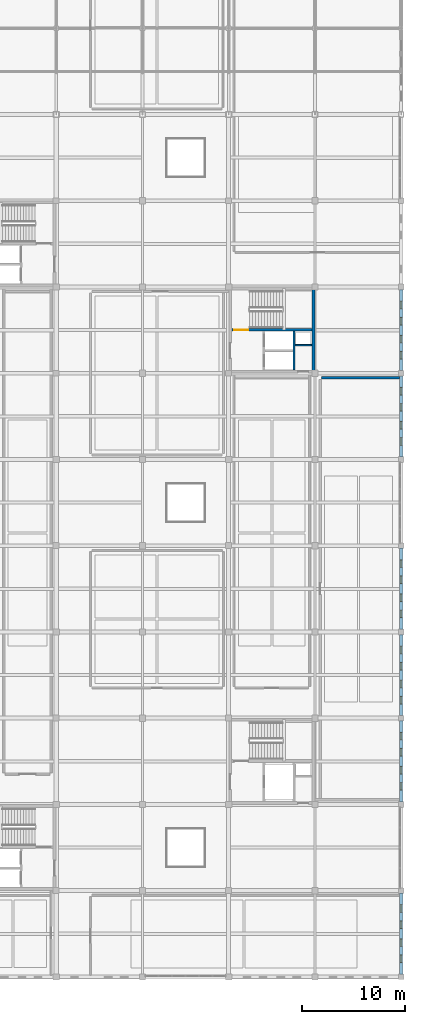
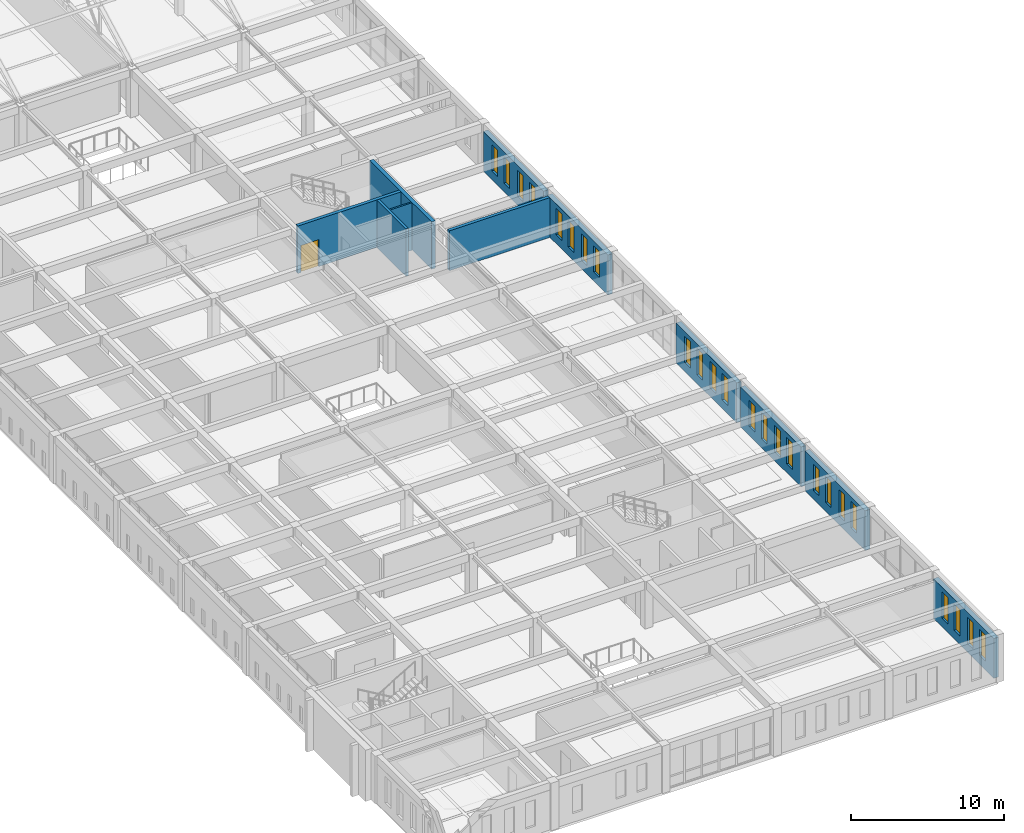
# One storey, part 46 of 56: 24 windows, 11 walls, 1 door, 25 openings.
"""IFC4 building model written with IfcOpenShell, lengths in metres."""

from ifc_helpers import new_model, si_unit, direction, frame, frame_2d, origin, place, context, subcontext, project, spatial, rectangle, extrude, material, layer, layer_set, type_object, element, fill, save


model = new_model("IFC4")

# Units and contexts
model_context = context("Model", 3, precision=1e-05, world=origin(), true_north=direction((0.0, 1.0)))
body_context = subcontext(model_context, "Body", "Model", "MODEL_VIEW")
ifc_project = project(units=[si_unit("LENGTHUNIT", "METRE"), si_unit("AREAUNIT", "SQUARE_METRE"), si_unit("VOLUMEUNIT", "CUBIC_METRE"), si_unit("PLANEANGLEUNIT", "RADIAN"), si_unit("MASSUNIT", "GRAM", prefix="KILO")], contexts=[model_context])

# Site, building, storey
site_placement = place(None, origin())
site = spatial("IfcSite", under=ifc_project, at=site_placement, CompositionType="ELEMENT")
building_placement = place(site_placement, origin())
building = spatial("IfcBuilding", under=site, at=building_placement, Name="Kveldsbrygga Polytechnic", CompositionType="ELEMENT")
storey_placement = place(building_placement, frame((0.0, 0.0, 18.02001953125)))
storey = spatial("IfcBuildingStorey", under=building, at=storey_placement, Name="L04", CompositionType="ELEMENT", Elevation=18.02001953125)

# Wall, openings, windows
ifc_material_1 = material(Name="Fired clay brick masonry M10", Category="masonry")
ifc_layer_1 = layer(ifc_material_1, 0.360107421875)
ifc_layer_set_1 = layer_set([ifc_layer_1], Name="Fired clay brick masonry M10")
wall_type_1 = type_object("IfcWallType", Name="EW-BRICK-360", PredefinedType="SOLIDWALL", material=ifc_layer_set_1)
wall_1_placement = place(storey_placement, frame((168.0, 17.06005859375, 0.0), z_axis=(0.0, 0.0, 1.0), x_axis=(0.0, 1.0, 0.0)))
wall_1 = element("IfcWall", 1, at=wall_1_placement, inside=storey, type_object=wall_type_1, Name="Exterior Brick Wall EW-L04-Y-20-02", PredefinedType="SOLIDWALL", context=body_context, shape_type="SweptSolid", body=[
    extrude(rectangle(XDim=7.89501953125, YDim=0.360107421875, at=frame_2d((3.947509765625, 0.0))), origin(), (0.0, 0.0, 1.0), 3.179931640625),
])
opening_1_placement = place(wall_1_placement, frame((1.125, 0.0, 0.699951171875)))
opening_1 = element("IfcOpeningElement", 2, at=opening_1_placement, cuts=wall_1, Name="Opening W-27", PredefinedType="OPENING", context=body_context, shape_type="SweptSolid", body=[
    extrude(rectangle(XDim=0.75, YDim=2.10009765625, at=frame_2d((0.375, 1.050048828125))), frame((0.0, 0.18994140625, 0.0), z_axis=(0.0, -1.0, 0.0), x_axis=(1.0, 0.0, 0.0)), (0.0, 0.0, 1.0), 0.380126953125),
])
opening_2_placement = place(wall_1_placement, frame((2.7041015625, 0.0, 0.699951171875)))
opening_2 = element("IfcOpeningElement", 3, at=opening_2_placement, cuts=wall_1, Name="Opening W-27", PredefinedType="OPENING", context=body_context, shape_type="SweptSolid", body=[
    extrude(rectangle(XDim=0.75, YDim=2.10009765625, at=frame_2d((0.375, 1.050048828125))), frame((0.0, 0.18994140625, 0.0), z_axis=(0.0, -1.0, 0.0), x_axis=(1.0, 0.0, 0.0)), (0.0, 0.0, 1.0), 0.380126953125),
])
opening_3_placement = place(wall_1_placement, frame((4.44091796875, 0.0, 0.699951171875)))
opening_3 = element("IfcOpeningElement", 4, at=opening_3_placement, cuts=wall_1, Name="Opening W-27", PredefinedType="OPENING", context=body_context, shape_type="SweptSolid", body=[
    extrude(rectangle(XDim=0.75, YDim=2.10009765625, at=frame_2d((0.375, 1.050048828125))), frame((0.0, 0.18994140625, 0.0), z_axis=(0.0, -1.0, 0.0), x_axis=(1.0, 0.0, 0.0)), (0.0, 0.0, 1.0), 0.380126953125),
])
opening_4_placement = place(wall_1_placement, frame((6.02001953125, 0.0, 0.699951171875)))
opening_4 = element("IfcOpeningElement", 5, at=opening_4_placement, cuts=wall_1, Name="Opening W-27", PredefinedType="OPENING", context=body_context, shape_type="SweptSolid", body=[
    extrude(rectangle(XDim=0.75, YDim=2.10009765625, at=frame_2d((0.375, 1.050048828125))), frame((0.0, 0.18994140625, 0.0), z_axis=(0.0, -1.0, 0.0), x_axis=(1.0, 0.0, 0.0)), (0.0, 0.0, 1.0), 0.380126953125),
])
ifc_material_2 = material(Name="Insulated triple low-E glass", Category="glass")
window_type = type_object("IfcWindowType", Name="WN-ATTIC-075x210", PartitioningType="DOUBLE_PANEL_VERTICAL", PredefinedType="WINDOW", material=ifc_material_2)
window_1_placement = place(opening_1_placement, origin())
window_1 = element("IfcWindow", 6, at=window_1_placement, inside=storey, type_object=window_type, Name="Gothic Lancet Window WIN-L04-Y-20-02-1", OverallHeight=2.10009765625, OverallWidth=0.75, PartitioningType="DOUBLE_PANEL_VERTICAL", PredefinedType="WINDOW", context=body_context, shape_type="SweptSolid", body=[
    extrude(rectangle(XDim=0.75, YDim=2.10009765625, at=frame_2d((0.375, 1.050048828125))), frame((0.0, 0.030029296875, 0.0), z_axis=(0.0, -1.0, 0.0), x_axis=(1.0, 0.0, 0.0)), (0.0, 0.0, 1.0), 0.06005859375),
])
fill(opening_1, window_1)
window_2_placement = place(opening_2_placement, origin())
window_2 = element("IfcWindow", 7, at=window_2_placement, inside=storey, type_object=window_type, Name="Gothic Lancet Window WIN-L04-Y-20-02-2", OverallHeight=2.10009765625, OverallWidth=0.75, PartitioningType="DOUBLE_PANEL_VERTICAL", PredefinedType="WINDOW", context=body_context, shape_type="SweptSolid", body=[
    extrude(rectangle(XDim=0.75, YDim=2.10009765625, at=frame_2d((0.375, 1.050048828125))), frame((0.0, 0.030029296875, 0.0), z_axis=(0.0, -1.0, 0.0), x_axis=(1.0, 0.0, 0.0)), (0.0, 0.0, 1.0), 0.06005859375),
])
fill(opening_2, window_2)
window_3_placement = place(opening_3_placement, origin())
window_3 = element("IfcWindow", 8, at=window_3_placement, inside=storey, type_object=window_type, Name="Gothic Lancet Window WIN-L04-Y-20-02-3", OverallHeight=2.10009765625, OverallWidth=0.75, PartitioningType="DOUBLE_PANEL_VERTICAL", PredefinedType="WINDOW", context=body_context, shape_type="SweptSolid", body=[
    extrude(rectangle(XDim=0.75, YDim=2.10009765625, at=frame_2d((0.375, 1.050048828125))), frame((0.0, 0.030029296875, 0.0), z_axis=(0.0, -1.0, 0.0), x_axis=(1.0, 0.0, 0.0)), (0.0, 0.0, 1.0), 0.06005859375),
])
fill(opening_3, window_3)
window_4_placement = place(opening_4_placement, origin())
window_4 = element("IfcWindow", 9, at=window_4_placement, inside=storey, type_object=window_type, Name="Gothic Lancet Window WIN-L04-Y-20-02-4", OverallHeight=2.10009765625, OverallWidth=0.75, PartitioningType="DOUBLE_PANEL_VERTICAL", PredefinedType="WINDOW", context=body_context, shape_type="SweptSolid", body=[
    extrude(rectangle(XDim=0.75, YDim=2.10009765625, at=frame_2d((0.375, 1.050048828125))), frame((0.0, 0.030029296875, 0.0), z_axis=(0.0, -1.0, 0.0), x_axis=(1.0, 0.0, 0.0)), (0.0, 0.0, 1.0), 0.06005859375),
])
fill(opening_4, window_4)

wall_2_placement = place(storey_placement, frame((168.0, 33.860107421875, 0.0), z_axis=(0.0, 0.0, 1.0), x_axis=(0.0, 1.0, 0.0)))
wall_2 = element("IfcWall", 10, at=wall_2_placement, inside=storey, type_object=wall_type_1, Name="Exterior Brick Wall EW-L04-Y-20-04", PredefinedType="SOLIDWALL", context=body_context, shape_type="SweptSolid", body=[
    extrude(rectangle(XDim=7.894775390625, YDim=0.360107421875, at=frame_2d((3.947265625, 0.0))), origin(), (0.0, 0.0, 1.0), 3.179931640625),
])
opening_5_placement = place(wall_2_placement, frame((1.125, 0.0, 0.699951171875)))
opening_5 = element("IfcOpeningElement", 11, at=opening_5_placement, cuts=wall_2, Name="Opening W-27", PredefinedType="OPENING", context=body_context, shape_type="SweptSolid", body=[
    extrude(rectangle(XDim=0.75, YDim=2.10009765625, at=frame_2d((0.375, 1.050048828125))), frame((0.0, 0.18994140625, 0.0), z_axis=(0.0, -1.0, 0.0), x_axis=(1.0, 0.0, 0.0)), (0.0, 0.0, 1.0), 0.380126953125),
])
opening_6_placement = place(wall_2_placement, frame((2.7041015625, 0.0, 0.699951171875)))
opening_6 = element("IfcOpeningElement", 12, at=opening_6_placement, cuts=wall_2, Name="Opening W-27", PredefinedType="OPENING", context=body_context, shape_type="SweptSolid", body=[
    extrude(rectangle(XDim=0.75, YDim=2.10009765625, at=frame_2d((0.375, 1.050048828125))), frame((0.0, 0.18994140625, 0.0), z_axis=(0.0, -1.0, 0.0), x_axis=(1.0, 0.0, 0.0)), (0.0, 0.0, 1.0), 0.380126953125),
])
opening_7_placement = place(wall_2_placement, frame((4.44091796875, 0.0, 0.699951171875)))
opening_7 = element("IfcOpeningElement", 13, at=opening_7_placement, cuts=wall_2, Name="Opening W-27", PredefinedType="OPENING", context=body_context, shape_type="SweptSolid", body=[
    extrude(rectangle(XDim=0.75, YDim=2.10009765625, at=frame_2d((0.375, 1.050048828125))), frame((0.0, 0.18994140625, 0.0), z_axis=(0.0, -1.0, 0.0), x_axis=(1.0, 0.0, 0.0)), (0.0, 0.0, 1.0), 0.380126953125),
])
opening_8_placement = place(wall_2_placement, frame((6.02001953125, 0.0, 0.699951171875)))
opening_8 = element("IfcOpeningElement", 14, at=opening_8_placement, cuts=wall_2, Name="Opening W-27", PredefinedType="OPENING", context=body_context, shape_type="SweptSolid", body=[
    extrude(rectangle(XDim=0.75, YDim=2.10009765625, at=frame_2d((0.375, 1.050048828125))), frame((0.0, 0.18994140625, 0.0), z_axis=(0.0, -1.0, 0.0), x_axis=(1.0, 0.0, 0.0)), (0.0, 0.0, 1.0), 0.380126953125),
])
window_5_placement = place(opening_5_placement, origin())
window_5 = element("IfcWindow", 15, at=window_5_placement, inside=storey, type_object=window_type, Name="Gothic Lancet Window WIN-L04-Y-20-04-1", OverallHeight=2.10009765625, OverallWidth=0.75, PartitioningType="DOUBLE_PANEL_VERTICAL", PredefinedType="WINDOW", context=body_context, shape_type="SweptSolid", body=[
    extrude(rectangle(XDim=0.75, YDim=2.10009765625, at=frame_2d((0.375, 1.050048828125))), frame((0.0, 0.030029296875, 0.0), z_axis=(0.0, -1.0, 0.0), x_axis=(1.0, 0.0, 0.0)), (0.0, 0.0, 1.0), 0.06005859375),
])
fill(opening_5, window_5)
window_6_placement = place(opening_6_placement, origin())
window_6 = element("IfcWindow", 16, at=window_6_placement, inside=storey, type_object=window_type, Name="Gothic Lancet Window WIN-L04-Y-20-04-2", OverallHeight=2.10009765625, OverallWidth=0.75, PartitioningType="DOUBLE_PANEL_VERTICAL", PredefinedType="WINDOW", context=body_context, shape_type="SweptSolid", body=[
    extrude(rectangle(XDim=0.75, YDim=2.10009765625, at=frame_2d((0.375, 1.050048828125))), frame((0.0, 0.030029296875, 0.0), z_axis=(0.0, -1.0, 0.0), x_axis=(1.0, 0.0, 0.0)), (0.0, 0.0, 1.0), 0.06005859375),
])
fill(opening_6, window_6)
window_7_placement = place(opening_7_placement, origin())
window_7 = element("IfcWindow", 17, at=window_7_placement, inside=storey, type_object=window_type, Name="Gothic Lancet Window WIN-L04-Y-20-04-3", OverallHeight=2.10009765625, OverallWidth=0.75, PartitioningType="DOUBLE_PANEL_VERTICAL", PredefinedType="WINDOW", context=body_context, shape_type="SweptSolid", body=[
    extrude(rectangle(XDim=0.75, YDim=2.10009765625, at=frame_2d((0.375, 1.050048828125))), frame((0.0, 0.030029296875, 0.0), z_axis=(0.0, -1.0, 0.0), x_axis=(1.0, 0.0, 0.0)), (0.0, 0.0, 1.0), 0.06005859375),
])
fill(opening_7, window_7)
window_8_placement = place(opening_8_placement, origin())
window_8 = element("IfcWindow", 18, at=window_8_placement, inside=storey, type_object=window_type, Name="Gothic Lancet Window WIN-L04-Y-20-04-4", OverallHeight=2.10009765625, OverallWidth=0.75, PartitioningType="DOUBLE_PANEL_VERTICAL", PredefinedType="WINDOW", context=body_context, shape_type="SweptSolid", body=[
    extrude(rectangle(XDim=0.75, YDim=2.10009765625, at=frame_2d((0.375, 1.050048828125))), frame((0.0, 0.030029296875, 0.0), z_axis=(0.0, -1.0, 0.0), x_axis=(1.0, 0.0, 0.0)), (0.0, 0.0, 1.0), 0.06005859375),
])
fill(opening_8, window_8)

wall_3_placement = place(storey_placement, frame((168.0, 42.2451171875, 0.0), z_axis=(0.0, 0.0, 1.0), x_axis=(0.0, 1.0, 0.0)))
wall_3 = element("IfcWall", 19, at=wall_3_placement, inside=storey, type_object=wall_type_1, Name="Exterior Brick Wall EW-L04-Y-20-05", PredefinedType="SOLIDWALL", context=body_context, shape_type="SweptSolid", body=[
    extrude(rectangle(XDim=7.894775390625, YDim=0.360107421875, at=frame_2d((3.947265625, 0.0))), origin(), (0.0, 0.0, 1.0), 3.179931640625),
])
opening_9_placement = place(wall_3_placement, frame((1.125, 0.0, 0.699951171875)))
opening_9 = element("IfcOpeningElement", 20, at=opening_9_placement, cuts=wall_3, Name="Opening W-27", PredefinedType="OPENING", context=body_context, shape_type="SweptSolid", body=[
    extrude(rectangle(XDim=0.75, YDim=2.10009765625, at=frame_2d((0.375, 1.050048828125))), frame((0.0, 0.18994140625, 0.0), z_axis=(0.0, -1.0, 0.0), x_axis=(1.0, 0.0, 0.0)), (0.0, 0.0, 1.0), 0.380126953125),
])
opening_10_placement = place(wall_3_placement, frame((2.7041015625, 0.0, 0.699951171875)))
opening_10 = element("IfcOpeningElement", 21, at=opening_10_placement, cuts=wall_3, Name="Opening W-27", PredefinedType="OPENING", context=body_context, shape_type="SweptSolid", body=[
    extrude(rectangle(XDim=0.75, YDim=2.10009765625, at=frame_2d((0.375, 1.050048828125))), frame((0.0, 0.18994140625, 0.0), z_axis=(0.0, -1.0, 0.0), x_axis=(1.0, 0.0, 0.0)), (0.0, 0.0, 1.0), 0.380126953125),
])
opening_11_placement = place(wall_3_placement, frame((4.44091796875, 0.0, 0.699951171875)))
opening_11 = element("IfcOpeningElement", 22, at=opening_11_placement, cuts=wall_3, Name="Opening W-27", PredefinedType="OPENING", context=body_context, shape_type="SweptSolid", body=[
    extrude(rectangle(XDim=0.75, YDim=2.10009765625, at=frame_2d((0.375, 1.050048828125))), frame((0.0, 0.18994140625, 0.0), z_axis=(0.0, -1.0, 0.0), x_axis=(1.0, 0.0, 0.0)), (0.0, 0.0, 1.0), 0.380126953125),
])
opening_12_placement = place(wall_3_placement, frame((6.02001953125, 0.0, 0.699951171875)))
opening_12 = element("IfcOpeningElement", 23, at=opening_12_placement, cuts=wall_3, Name="Opening W-27", PredefinedType="OPENING", context=body_context, shape_type="SweptSolid", body=[
    extrude(rectangle(XDim=0.75, YDim=2.10009765625, at=frame_2d((0.375, 1.050048828125))), frame((0.0, 0.18994140625, 0.0), z_axis=(0.0, -1.0, 0.0), x_axis=(1.0, 0.0, 0.0)), (0.0, 0.0, 1.0), 0.380126953125),
])
window_9_placement = place(opening_9_placement, origin())
window_9 = element("IfcWindow", 24, at=window_9_placement, inside=storey, type_object=window_type, Name="Gothic Lancet Window WIN-L04-Y-20-05-1", OverallHeight=2.10009765625, OverallWidth=0.75, PartitioningType="DOUBLE_PANEL_VERTICAL", PredefinedType="WINDOW", context=body_context, shape_type="SweptSolid", body=[
    extrude(rectangle(XDim=0.75, YDim=2.10009765625, at=frame_2d((0.375, 1.050048828125))), frame((0.0, 0.030029296875, 0.0), z_axis=(0.0, -1.0, 0.0), x_axis=(1.0, 0.0, 0.0)), (0.0, 0.0, 1.0), 0.06005859375),
])
fill(opening_9, window_9)
window_10_placement = place(opening_10_placement, origin())
window_10 = element("IfcWindow", 25, at=window_10_placement, inside=storey, type_object=window_type, Name="Gothic Lancet Window WIN-L04-Y-20-05-2", OverallHeight=2.10009765625, OverallWidth=0.75, PartitioningType="DOUBLE_PANEL_VERTICAL", PredefinedType="WINDOW", context=body_context, shape_type="SweptSolid", body=[
    extrude(rectangle(XDim=0.75, YDim=2.10009765625, at=frame_2d((0.375, 1.050048828125))), frame((0.0, 0.030029296875, 0.0), z_axis=(0.0, -1.0, 0.0), x_axis=(1.0, 0.0, 0.0)), (0.0, 0.0, 1.0), 0.06005859375),
])
fill(opening_10, window_10)
window_11_placement = place(opening_11_placement, origin())
window_11 = element("IfcWindow", 26, at=window_11_placement, inside=storey, type_object=window_type, Name="Gothic Lancet Window WIN-L04-Y-20-05-3", OverallHeight=2.10009765625, OverallWidth=0.75, PartitioningType="DOUBLE_PANEL_VERTICAL", PredefinedType="WINDOW", context=body_context, shape_type="SweptSolid", body=[
    extrude(rectangle(XDim=0.75, YDim=2.10009765625, at=frame_2d((0.375, 1.050048828125))), frame((0.0, 0.030029296875, 0.0), z_axis=(0.0, -1.0, 0.0), x_axis=(1.0, 0.0, 0.0)), (0.0, 0.0, 1.0), 0.06005859375),
])
fill(opening_11, window_11)
window_12_placement = place(opening_12_placement, origin())
window_12 = element("IfcWindow", 27, at=window_12_placement, inside=storey, type_object=window_type, Name="Gothic Lancet Window WIN-L04-Y-20-05-4", OverallHeight=2.10009765625, OverallWidth=0.75, PartitioningType="DOUBLE_PANEL_VERTICAL", PredefinedType="WINDOW", context=body_context, shape_type="SweptSolid", body=[
    extrude(rectangle(XDim=0.75, YDim=2.10009765625, at=frame_2d((0.375, 1.050048828125))), frame((0.0, 0.030029296875, 0.0), z_axis=(0.0, -1.0, 0.0), x_axis=(1.0, 0.0, 0.0)), (0.0, 0.0, 1.0), 0.06005859375),
])
fill(opening_12, window_12)

wall_4_placement = place(storey_placement, frame((168.0, 50.659912109375, 0.0), z_axis=(0.0, 0.0, 1.0), x_axis=(0.0, 1.0, 0.0)))
wall_4 = element("IfcWall", 28, at=wall_4_placement, inside=storey, type_object=wall_type_1, Name="Exterior Brick Wall EW-L04-Y-20-06", PredefinedType="SOLIDWALL", context=body_context, shape_type="SweptSolid", body=[
    extrude(rectangle(XDim=7.89501953125, YDim=0.360107421875, at=frame_2d((3.947509765625, 0.0))), origin(), (0.0, 0.0, 1.0), 3.179931640625),
])
opening_13_placement = place(wall_4_placement, frame((1.125, 0.0, 0.699951171875)))
opening_13 = element("IfcOpeningElement", 29, at=opening_13_placement, cuts=wall_4, Name="Opening W-27", PredefinedType="OPENING", context=body_context, shape_type="SweptSolid", body=[
    extrude(rectangle(XDim=0.75, YDim=2.10009765625, at=frame_2d((0.375, 1.050048828125))), frame((0.0, 0.18994140625, 0.0), z_axis=(0.0, -1.0, 0.0), x_axis=(1.0, 0.0, 0.0)), (0.0, 0.0, 1.0), 0.380126953125),
])
opening_14_placement = place(wall_4_placement, frame((2.7041015625, 0.0, 0.699951171875)))
opening_14 = element("IfcOpeningElement", 30, at=opening_14_placement, cuts=wall_4, Name="Opening W-27", PredefinedType="OPENING", context=body_context, shape_type="SweptSolid", body=[
    extrude(rectangle(XDim=0.75, YDim=2.10009765625, at=frame_2d((0.375, 1.050048828125))), frame((0.0, 0.18994140625, 0.0), z_axis=(0.0, -1.0, 0.0), x_axis=(1.0, 0.0, 0.0)), (0.0, 0.0, 1.0), 0.380126953125),
])
opening_15_placement = place(wall_4_placement, frame((4.44091796875, 0.0, 0.699951171875)))
opening_15 = element("IfcOpeningElement", 31, at=opening_15_placement, cuts=wall_4, Name="Opening W-27", PredefinedType="OPENING", context=body_context, shape_type="SweptSolid", body=[
    extrude(rectangle(XDim=0.75, YDim=2.10009765625, at=frame_2d((0.375, 1.050048828125))), frame((0.0, 0.18994140625, 0.0), z_axis=(0.0, -1.0, 0.0), x_axis=(1.0, 0.0, 0.0)), (0.0, 0.0, 1.0), 0.380126953125),
])
opening_16_placement = place(wall_4_placement, frame((6.02001953125, 0.0, 0.699951171875)))
opening_16 = element("IfcOpeningElement", 32, at=opening_16_placement, cuts=wall_4, Name="Opening W-27", PredefinedType="OPENING", context=body_context, shape_type="SweptSolid", body=[
    extrude(rectangle(XDim=0.75, YDim=2.10009765625, at=frame_2d((0.375, 1.050048828125))), frame((0.0, 0.18994140625, 0.0), z_axis=(0.0, -1.0, 0.0), x_axis=(1.0, 0.0, 0.0)), (0.0, 0.0, 1.0), 0.380126953125),
])
window_13_placement = place(opening_13_placement, origin())
window_13 = element("IfcWindow", 33, at=window_13_placement, inside=storey, type_object=window_type, Name="Gothic Lancet Window WIN-L04-Y-20-06-1", OverallHeight=2.10009765625, OverallWidth=0.75, PartitioningType="DOUBLE_PANEL_VERTICAL", PredefinedType="WINDOW", context=body_context, shape_type="SweptSolid", body=[
    extrude(rectangle(XDim=0.75, YDim=2.10009765625, at=frame_2d((0.375, 1.050048828125))), frame((0.0, 0.030029296875, 0.0), z_axis=(0.0, -1.0, 0.0), x_axis=(1.0, 0.0, 0.0)), (0.0, 0.0, 1.0), 0.06005859375),
])
fill(opening_13, window_13)
window_14_placement = place(opening_14_placement, origin())
window_14 = element("IfcWindow", 34, at=window_14_placement, inside=storey, type_object=window_type, Name="Gothic Lancet Window WIN-L04-Y-20-06-2", OverallHeight=2.10009765625, OverallWidth=0.75, PartitioningType="DOUBLE_PANEL_VERTICAL", PredefinedType="WINDOW", context=body_context, shape_type="SweptSolid", body=[
    extrude(rectangle(XDim=0.75, YDim=2.10009765625, at=frame_2d((0.375, 1.050048828125))), frame((0.0, 0.030029296875, 0.0), z_axis=(0.0, -1.0, 0.0), x_axis=(1.0, 0.0, 0.0)), (0.0, 0.0, 1.0), 0.06005859375),
])
fill(opening_14, window_14)
window_15_placement = place(opening_15_placement, origin())
window_15 = element("IfcWindow", 35, at=window_15_placement, inside=storey, type_object=window_type, Name="Gothic Lancet Window WIN-L04-Y-20-06-3", OverallHeight=2.10009765625, OverallWidth=0.75, PartitioningType="DOUBLE_PANEL_VERTICAL", PredefinedType="WINDOW", context=body_context, shape_type="SweptSolid", body=[
    extrude(rectangle(XDim=0.75, YDim=2.10009765625, at=frame_2d((0.375, 1.050048828125))), frame((0.0, 0.030029296875, 0.0), z_axis=(0.0, -1.0, 0.0), x_axis=(1.0, 0.0, 0.0)), (0.0, 0.0, 1.0), 0.06005859375),
])
fill(opening_15, window_15)
window_16_placement = place(opening_16_placement, origin())
window_16 = element("IfcWindow", 36, at=window_16_placement, inside=storey, type_object=window_type, Name="Gothic Lancet Window WIN-L04-Y-20-06-4", OverallHeight=2.10009765625, OverallWidth=0.75, PartitioningType="DOUBLE_PANEL_VERTICAL", PredefinedType="WINDOW", context=body_context, shape_type="SweptSolid", body=[
    extrude(rectangle(XDim=0.75, YDim=2.10009765625, at=frame_2d((0.375, 1.050048828125))), frame((0.0, 0.030029296875, 0.0), z_axis=(0.0, -1.0, 0.0), x_axis=(1.0, 0.0, 0.0)), (0.0, 0.0, 1.0), 0.06005859375),
])
fill(opening_16, window_16)

wall_5_placement = place(storey_placement, frame((168.0, 67.4599609375, 0.0), z_axis=(0.0, 0.0, 1.0), x_axis=(0.0, 1.0, 0.0)))
wall_5 = element("IfcWall", 37, at=wall_5_placement, inside=storey, type_object=wall_type_1, Name="Exterior Brick Wall EW-L04-Y-20-08", PredefinedType="SOLIDWALL", context=body_context, shape_type="SweptSolid", body=[
    extrude(rectangle(XDim=7.89501953125, YDim=0.360107421875, at=frame_2d((3.947509765625, 0.0))), origin(), (0.0, 0.0, 1.0), 3.179931640625),
])
opening_17_placement = place(wall_5_placement, frame((1.125, 0.0, 0.699951171875)))
opening_17 = element("IfcOpeningElement", 38, at=opening_17_placement, cuts=wall_5, Name="Opening W-27", PredefinedType="OPENING", context=body_context, shape_type="SweptSolid", body=[
    extrude(rectangle(XDim=0.75, YDim=2.10009765625, at=frame_2d((0.375, 1.050048828125))), frame((0.0, 0.18994140625, 0.0), z_axis=(0.0, -1.0, 0.0), x_axis=(1.0, 0.0, 0.0)), (0.0, 0.0, 1.0), 0.380126953125),
])
opening_18_placement = place(wall_5_placement, frame((2.7041015625, 0.0, 0.699951171875)))
opening_18 = element("IfcOpeningElement", 39, at=opening_18_placement, cuts=wall_5, Name="Opening W-27", PredefinedType="OPENING", context=body_context, shape_type="SweptSolid", body=[
    extrude(rectangle(XDim=0.75, YDim=2.10009765625, at=frame_2d((0.375, 1.050048828125))), frame((0.0, 0.18994140625, 0.0), z_axis=(0.0, -1.0, 0.0), x_axis=(1.0, 0.0, 0.0)), (0.0, 0.0, 1.0), 0.380126953125),
])
opening_19_placement = place(wall_5_placement, frame((4.44091796875, 0.0, 0.699951171875)))
opening_19 = element("IfcOpeningElement", 40, at=opening_19_placement, cuts=wall_5, Name="Opening W-27", PredefinedType="OPENING", context=body_context, shape_type="SweptSolid", body=[
    extrude(rectangle(XDim=0.75, YDim=2.10009765625, at=frame_2d((0.375, 1.050048828125))), frame((0.0, 0.18994140625, 0.0), z_axis=(0.0, -1.0, 0.0), x_axis=(1.0, 0.0, 0.0)), (0.0, 0.0, 1.0), 0.380126953125),
])
opening_20_placement = place(wall_5_placement, frame((6.02001953125, 0.0, 0.699951171875)))
opening_20 = element("IfcOpeningElement", 41, at=opening_20_placement, cuts=wall_5, Name="Opening W-27", PredefinedType="OPENING", context=body_context, shape_type="SweptSolid", body=[
    extrude(rectangle(XDim=0.75, YDim=2.10009765625, at=frame_2d((0.375, 1.050048828125))), frame((0.0, 0.18994140625, 0.0), z_axis=(0.0, -1.0, 0.0), x_axis=(1.0, 0.0, 0.0)), (0.0, 0.0, 1.0), 0.380126953125),
])
window_17_placement = place(opening_17_placement, origin())
window_17 = element("IfcWindow", 42, at=window_17_placement, inside=storey, type_object=window_type, Name="Gothic Lancet Window WIN-L04-Y-20-08-1", OverallHeight=2.10009765625, OverallWidth=0.75, PartitioningType="DOUBLE_PANEL_VERTICAL", PredefinedType="WINDOW", context=body_context, shape_type="SweptSolid", body=[
    extrude(rectangle(XDim=0.75, YDim=2.10009765625, at=frame_2d((0.375, 1.050048828125))), frame((0.0, 0.030029296875, 0.0), z_axis=(0.0, -1.0, 0.0), x_axis=(1.0, 0.0, 0.0)), (0.0, 0.0, 1.0), 0.06005859375),
])
fill(opening_17, window_17)
window_18_placement = place(opening_18_placement, origin())
window_18 = element("IfcWindow", 43, at=window_18_placement, inside=storey, type_object=window_type, Name="Gothic Lancet Window WIN-L04-Y-20-08-2", OverallHeight=2.10009765625, OverallWidth=0.75, PartitioningType="DOUBLE_PANEL_VERTICAL", PredefinedType="WINDOW", context=body_context, shape_type="SweptSolid", body=[
    extrude(rectangle(XDim=0.75, YDim=2.10009765625, at=frame_2d((0.375, 1.050048828125))), frame((0.0, 0.030029296875, 0.0), z_axis=(0.0, -1.0, 0.0), x_axis=(1.0, 0.0, 0.0)), (0.0, 0.0, 1.0), 0.06005859375),
])
fill(opening_18, window_18)
window_19_placement = place(opening_19_placement, origin())
window_19 = element("IfcWindow", 44, at=window_19_placement, inside=storey, type_object=window_type, Name="Gothic Lancet Window WIN-L04-Y-20-08-3", OverallHeight=2.10009765625, OverallWidth=0.75, PartitioningType="DOUBLE_PANEL_VERTICAL", PredefinedType="WINDOW", context=body_context, shape_type="SweptSolid", body=[
    extrude(rectangle(XDim=0.75, YDim=2.10009765625, at=frame_2d((0.375, 1.050048828125))), frame((0.0, 0.030029296875, 0.0), z_axis=(0.0, -1.0, 0.0), x_axis=(1.0, 0.0, 0.0)), (0.0, 0.0, 1.0), 0.06005859375),
])
fill(opening_19, window_19)
window_20_placement = place(opening_20_placement, origin())
window_20 = element("IfcWindow", 45, at=window_20_placement, inside=storey, type_object=window_type, Name="Gothic Lancet Window WIN-L04-Y-20-08-4", OverallHeight=2.10009765625, OverallWidth=0.75, PartitioningType="DOUBLE_PANEL_VERTICAL", PredefinedType="WINDOW", context=body_context, shape_type="SweptSolid", body=[
    extrude(rectangle(XDim=0.75, YDim=2.10009765625, at=frame_2d((0.375, 1.050048828125))), frame((0.0, 0.030029296875, 0.0), z_axis=(0.0, -1.0, 0.0), x_axis=(1.0, 0.0, 0.0)), (0.0, 0.0, 1.0), 0.06005859375),
])
fill(opening_20, window_20)

wall_6_placement = place(storey_placement, frame((168.0, 75.844970703125, 0.0), z_axis=(0.0, 0.0, 1.0), x_axis=(0.0, 1.0, 0.0)))
wall_6 = element("IfcWall", 46, at=wall_6_placement, inside=storey, type_object=wall_type_1, Name="Exterior Brick Wall EW-L04-Y-20-09", PredefinedType="SOLIDWALL", context=body_context, shape_type="SweptSolid", body=[
    extrude(rectangle(XDim=7.89501953125, YDim=0.360107421875, at=frame_2d((3.947509765625, 0.0))), origin(), (0.0, 0.0, 1.0), 3.179931640625),
])
opening_21_placement = place(wall_6_placement, frame((1.125, 0.0, 0.699951171875)))
opening_21 = element("IfcOpeningElement", 47, at=opening_21_placement, cuts=wall_6, Name="Opening W-27", PredefinedType="OPENING", context=body_context, shape_type="SweptSolid", body=[
    extrude(rectangle(XDim=0.75, YDim=2.10009765625, at=frame_2d((0.375, 1.050048828125))), frame((0.0, 0.18994140625, 0.0), z_axis=(0.0, -1.0, 0.0), x_axis=(1.0, 0.0, 0.0)), (0.0, 0.0, 1.0), 0.380126953125),
])
opening_22_placement = place(wall_6_placement, frame((2.7041015625, 0.0, 0.699951171875)))
opening_22 = element("IfcOpeningElement", 48, at=opening_22_placement, cuts=wall_6, Name="Opening W-27", PredefinedType="OPENING", context=body_context, shape_type="SweptSolid", body=[
    extrude(rectangle(XDim=0.75, YDim=2.10009765625, at=frame_2d((0.375, 1.050048828125))), frame((0.0, 0.18994140625, 0.0), z_axis=(0.0, -1.0, 0.0), x_axis=(1.0, 0.0, 0.0)), (0.0, 0.0, 1.0), 0.380126953125),
])
opening_23_placement = place(wall_6_placement, frame((4.44091796875, 0.0, 0.699951171875)))
opening_23 = element("IfcOpeningElement", 49, at=opening_23_placement, cuts=wall_6, Name="Opening W-27", PredefinedType="OPENING", context=body_context, shape_type="SweptSolid", body=[
    extrude(rectangle(XDim=0.75, YDim=2.10009765625, at=frame_2d((0.375, 1.050048828125))), frame((0.0, 0.18994140625, 0.0), z_axis=(0.0, -1.0, 0.0), x_axis=(1.0, 0.0, 0.0)), (0.0, 0.0, 1.0), 0.380126953125),
])
opening_24_placement = place(wall_6_placement, frame((6.02001953125, 0.0, 0.699951171875)))
opening_24 = element("IfcOpeningElement", 50, at=opening_24_placement, cuts=wall_6, Name="Opening W-27", PredefinedType="OPENING", context=body_context, shape_type="SweptSolid", body=[
    extrude(rectangle(XDim=0.75, YDim=2.10009765625, at=frame_2d((0.375, 1.050048828125))), frame((0.0, 0.18994140625, 0.0), z_axis=(0.0, -1.0, 0.0), x_axis=(1.0, 0.0, 0.0)), (0.0, 0.0, 1.0), 0.380126953125),
])
window_21_placement = place(opening_21_placement, origin())
window_21 = element("IfcWindow", 51, at=window_21_placement, inside=storey, type_object=window_type, Name="Gothic Lancet Window WIN-L04-Y-20-09-1", OverallHeight=2.10009765625, OverallWidth=0.75, PartitioningType="DOUBLE_PANEL_VERTICAL", PredefinedType="WINDOW", context=body_context, shape_type="SweptSolid", body=[
    extrude(rectangle(XDim=0.75, YDim=2.10009765625, at=frame_2d((0.375, 1.050048828125))), frame((0.0, 0.030029296875, 0.0), z_axis=(0.0, -1.0, 0.0), x_axis=(1.0, 0.0, 0.0)), (0.0, 0.0, 1.0), 0.06005859375),
])
fill(opening_21, window_21)
window_22_placement = place(opening_22_placement, origin())
window_22 = element("IfcWindow", 52, at=window_22_placement, inside=storey, type_object=window_type, Name="Gothic Lancet Window WIN-L04-Y-20-09-2", OverallHeight=2.10009765625, OverallWidth=0.75, PartitioningType="DOUBLE_PANEL_VERTICAL", PredefinedType="WINDOW", context=body_context, shape_type="SweptSolid", body=[
    extrude(rectangle(XDim=0.75, YDim=2.10009765625, at=frame_2d((0.375, 1.050048828125))), frame((0.0, 0.030029296875, 0.0), z_axis=(0.0, -1.0, 0.0), x_axis=(1.0, 0.0, 0.0)), (0.0, 0.0, 1.0), 0.06005859375),
])
fill(opening_22, window_22)
window_23_placement = place(opening_23_placement, origin())
window_23 = element("IfcWindow", 53, at=window_23_placement, inside=storey, type_object=window_type, Name="Gothic Lancet Window WIN-L04-Y-20-09-3", OverallHeight=2.10009765625, OverallWidth=0.75, PartitioningType="DOUBLE_PANEL_VERTICAL", PredefinedType="WINDOW", context=body_context, shape_type="SweptSolid", body=[
    extrude(rectangle(XDim=0.75, YDim=2.10009765625, at=frame_2d((0.375, 1.050048828125))), frame((0.0, 0.030029296875, 0.0), z_axis=(0.0, -1.0, 0.0), x_axis=(1.0, 0.0, 0.0)), (0.0, 0.0, 1.0), 0.06005859375),
])
fill(opening_23, window_23)
window_24_placement = place(opening_24_placement, origin())
window_24 = element("IfcWindow", 54, at=window_24_placement, inside=storey, type_object=window_type, Name="Gothic Lancet Window WIN-L04-Y-20-09-4", OverallHeight=2.10009765625, OverallWidth=0.75, PartitioningType="DOUBLE_PANEL_VERTICAL", PredefinedType="WINDOW", context=body_context, shape_type="SweptSolid", body=[
    extrude(rectangle(XDim=0.75, YDim=2.10009765625, at=frame_2d((0.375, 1.050048828125))), frame((0.0, 0.030029296875, 0.0), z_axis=(0.0, -1.0, 0.0), x_axis=(1.0, 0.0, 0.0)), (0.0, 0.0, 1.0), 0.06005859375),
])
fill(opening_24, window_24)

# Walls
ifc_layer_2 = layer(ifc_material_1, 0.239990234375)
ifc_layer_set_2 = layer_set([ifc_layer_2], Name="Fired clay brick masonry M10")
wall_type_2 = type_object("IfcWallType", Name="IW-COMP-240", PredefinedType="PARTITIONING", material=ifc_layer_set_2)
wall_7_placement = place(storey_placement, frame((160.25, 75.14990234375, 0.0), z_axis=(0.0, 0.0, 1.0), x_axis=(1.0, 0.0, 0.0)))
element("IfcWall", 55, at=wall_7_placement, inside=storey, type_object=wall_type_2, Name="Partition Wall IW-SP-L04-STK2-N1", PredefinedType="PARTITIONING", context=body_context, shape_type="SweptSolid", body=[
    extrude(rectangle(XDim=7.570068359375, YDim=0.239990234375, at=frame_2d((3.78515625, 0.0))), origin(), (0.0, 0.0, 1.0), 3.179931640625),
])
ifc_material_3 = material(Name="Moisture-resistant masonry M10", Category="masonry")
ifc_layer_3 = layer(ifc_material_3, 0.1298828125)
ifc_layer_set_3 = layer_set([ifc_layer_3], Name="Moisture-resistant masonry M10")
wall_type_3 = type_object("IfcWallType", Name="IW-SAN-130", PredefinedType="PARTITIONING", material=ifc_layer_set_3)
wall_8_placement = place(storey_placement, frame((157.659912109375, 78.340087890625, 0.0), z_axis=(0.0, 0.0, 1.0), x_axis=(1.0, 0.0, 0.0)))
element("IfcWall", 56, at=wall_8_placement, inside=storey, type_object=wall_type_3, Name="Core AWC Divider C4-L04-W-RSR", PredefinedType="PARTITIONING", context=body_context, shape_type="SweptSolid", body=[
    extrude(rectangle(XDim=1.6201171875, YDim=0.1298828125, at=frame_2d((0.81005859375, 0.0))), origin(), (0.0, 0.0, 1.0), 3.780029296875),
])

# Wall, opening, door
ifc_material_4 = material(Name="Concrete C45/55", Category="concrete")
ifc_layer_4 = layer(ifc_material_4, 0.25)
ifc_layer_set_4 = layer_set([ifc_layer_4], Name="Concrete C45/55")
wall_type_4 = type_object("IfcWallType", Name="WL-CORE-250", PredefinedType="SHEAR", material=ifc_layer_set_4)
wall_9_placement = place(storey_placement, frame((151.5, 79.830078125, 0.0), z_axis=(0.0, 0.0, 1.0), x_axis=(1.0, 0.0, 0.0)))
wall_9 = element("IfcWall", 57, at=wall_9_placement, inside=storey, type_object=wall_type_4, Name="Core C4 Shear Wall C4-L04-W-DIV", PredefinedType="SHEAR", context=body_context, shape_type="SweptSolid", body=[
    extrude(rectangle(XDim=7.800048828125, YDim=0.25, at=frame_2d((3.89990234375, 0.0))), origin(), (0.0, 0.0, 1.0), 3.780029296875),
])
opening_25_placement = place(wall_9_placement, frame((0.25, 0.0, 0.0)))
opening_25 = element("IfcOpeningElement", 58, at=opening_25_placement, cuts=wall_9, Name="Opening FD-C4-L04-ST", PredefinedType="OPENING", context=body_context, shape_type="SweptSolid", body=[
    extrude(rectangle(XDim=1.35009765625, YDim=2.14990234375, at=frame_2d((0.675048828125, 1.074951171875))), frame((0.0, 0.135009765625, 0.0), z_axis=(0.0, -1.0, 0.0), x_axis=(1.0, 0.0, 0.0)), (0.0, 0.0, 1.0), 0.27001953125),
])
ifc_material_5 = material(Name="Powder-coated galvanised steel", Category="steel")
door_type = type_object("IfcDoorType", Name="ID-STAIR-135x215", OperationType="NOTDEFINED", PredefinedType="DOOR", material=ifc_material_5)
door_placement = place(opening_25_placement, origin())
door = element("IfcDoor", 59, at=door_placement, inside=storey, type_object=door_type, Name="Stair Fire Door FD-C4-L04-ST", OperationType="SINGLE_SWING_LEFT", OverallHeight=2.14990234375, OverallWidth=1.35009765625, PredefinedType="DOOR", context=body_context, shape_type="SweptSolid", body=[
    extrude(rectangle(XDim=1.35009765625, YDim=2.14990234375, at=frame_2d((0.675048828125, 1.074951171875))), frame((0.0, 0.02490234375, 0.0), z_axis=(0.0, -1.0, 0.0), x_axis=(1.0, 0.0, 0.0)), (0.0, 0.0, 1.0), 0.050048828125),
])
fill(opening_25, door)

# Walls
ifc_layer_5 = layer(ifc_material_4, 0.280029296875)
ifc_layer_set_5 = layer_set([ifc_layer_5], Name="Concrete C45/55")
wall_type_5 = type_object("IfcWallType", Name="WL-CORE-280", PredefinedType="SHEAR", material=ifc_layer_set_5)
wall_10_placement = place(storey_placement, frame((159.449951171875, 75.75, 0.0), z_axis=(0.0, 0.0, 1.0), x_axis=(0.0, 1.0, 0.0)))
element("IfcWall", 60, at=wall_10_placement, inside=storey, type_object=wall_type_5, Name="Core C4 Shear Wall C4-L04-SW-E", PredefinedType="SHEAR", context=body_context, shape_type="SweptSolid", body=[
    extrude(rectangle(XDim=8.10009765625, YDim=0.280029296875, at=frame_2d((4.050048828125, 0.0))), origin(), (0.0, 0.0, 1.0), 3.780029296875),
])
ifc_material_6 = material(Name="Concrete C35/45", Category="concrete")
ifc_layer_6 = layer(ifc_material_6, 0.199951171875)
ifc_layer_set_6 = layer_set([ifc_layer_6], Name="Concrete C35/45")
wall_type_6 = type_object("IfcWallType", Name="WL-SHFT-200", PredefinedType="SHEAR", material=ifc_layer_set_6)
wall_11_placement = place(storey_placement, frame((157.56005859375, 75.89990234375, 0.0), z_axis=(0.0, 0.0, 1.0), x_axis=(0.0, 1.0, 0.0)))
element("IfcWall", 61, at=wall_11_placement, inside=storey, type_object=wall_type_6, Name="Lift Back Wall C4-L04-W-LBK", PredefinedType="SHEAR", context=body_context, shape_type="SweptSolid", body=[
    extrude(rectangle(XDim=3.800048828125, YDim=0.199951171875, at=frame_2d((1.89990234375, 0.0))), origin(), (0.0, 0.0, 1.0), 3.780029296875),
])

save(model, "model.ifc")
